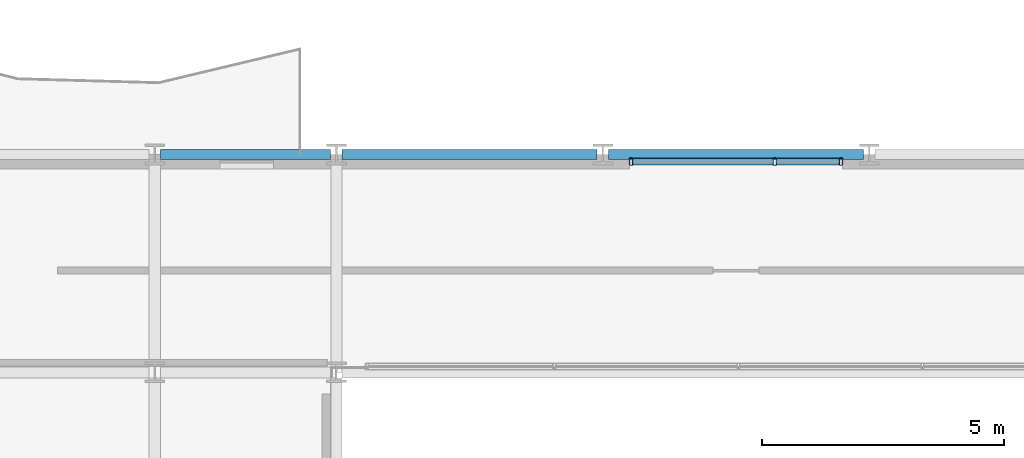
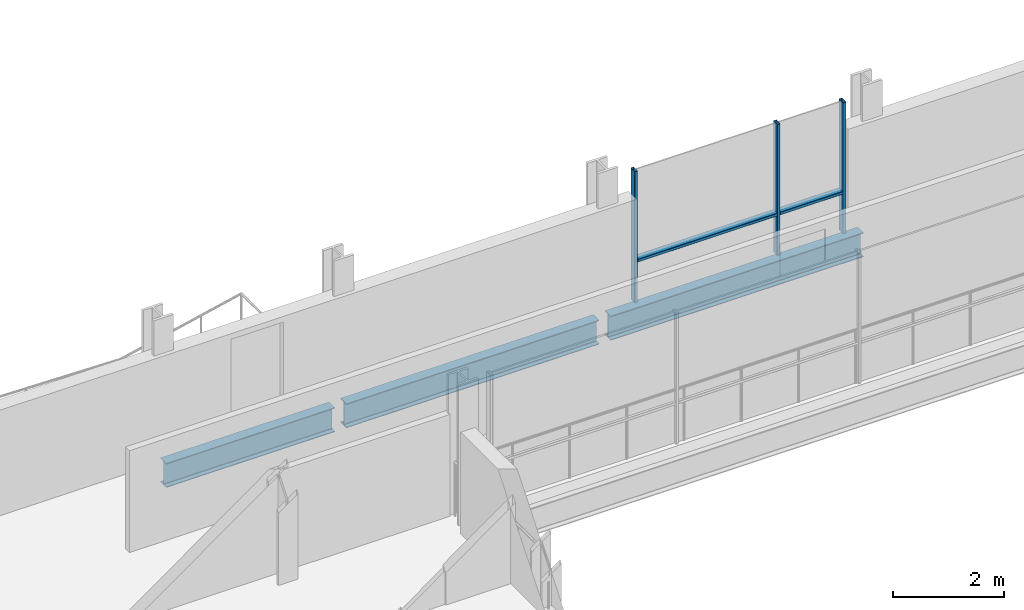
# One storey, part 22 of 40: 5 members, 3 beams, 1 element without a shape of its own.
"""IFC4 building model written with IfcOpenShell, lengths in metres."""

from ifc_helpers import new_model, si_unit, direction, frame, origin, origin_2d, place, context, subcontext, project, spatial, hollow_rectangle, i_section, extrude, material, layer, layer_set, material_profile, profile_set, type_object, element, aggregate, save


model = new_model("IFC4")

# Units and contexts
model_context = context("Model", 3, precision=1e-05, world=origin(), true_north=direction((0.0, 1.0)))
body_context = subcontext(model_context, "Body", "Model", "MODEL_VIEW")
ifc_project = project(units=[si_unit("LENGTHUNIT", "METRE"), si_unit("AREAUNIT", "SQUARE_METRE"), si_unit("VOLUMEUNIT", "CUBIC_METRE"), si_unit("PLANEANGLEUNIT", "RADIAN"), si_unit("MASSUNIT", "GRAM", prefix="KILO")], contexts=[model_context])

# Site, building, storey
site_placement = place(None, origin())
site = spatial("IfcSite", under=ifc_project, at=site_placement, CompositionType="ELEMENT")
building_placement = place(site_placement, origin())
building = spatial("IfcBuilding", under=site, at=building_placement, Name="Brevholm Reach", CompositionType="ELEMENT")
storey_placement = place(building_placement, frame((0.0, 0.0, 119.0)))
storey = spatial("IfcBuildingStorey", under=building, at=storey_placement, Name="L35", CompositionType="ELEMENT", Elevation=119.0)

# Beams
ifc_material_1 = material(Name="Structural Steel S355J2", Category="steel")
ifc_material_profile_1 = material_profile(ifc_material_1, i_section(OverallWidth=0.209228515625, OverallDepth=0.533203125, WebThickness=0.010009765625, FlangeThickness=0.015625, FilletRadius=0.0126953125, at=origin_2d()), Name="UKB 533x210x92")
ifc_profile_set_1 = profile_set([ifc_material_profile_1], Name="Structural Steel S355J2")
beam_type = type_object("IfcBeamType", Name="BM-SP533", PredefinedType="SPANDREL", material=ifc_profile_set_1)
beam_placement = place(storey_placement, frame((18.1201171875, 31.0, -0.486572265625), z_axis=(1.0, 0.0, 0.0), x_axis=(0.0, 1.0, 0.0)))
element("IfcBeam", 1, at=beam_placement, inside=storey, type_object=beam_type, Name="L35 SP-02 Framing Beam", PredefinedType="SPANDREL", context=body_context, shape_type="SweptSolid", body=[
    extrude(i_section(OverallWidth=0.209228515625, OverallDepth=0.533203125, WebThickness=0.010009765625, FlangeThickness=0.015625, FilletRadius=0.0126953125, at=origin_2d()), origin(), (0.0, 0.0, 1.0), 3.509765625),
])
for number, where, z_axis, x_axis, name in (
    (2, (21.8701171875, 31.0, -0.486572265625), (1.0, 0.0, 0.0), (0.0, 1.0, 0.0), "L35 SP-02 Framing Beam"),
    (3, (27.3701171875, 31.0, -0.486572265625), (1.0, 0.0, 0.0), (0.0, 1.0, 0.0), "L35 SP-02 Framing Beam"),
):
    element("IfcBeam", number, at=place(storey_placement, frame(where, z_axis=z_axis, x_axis=x_axis)), inside=storey, type_object=beam_type, Name=name, PredefinedType="SPANDREL", context=body_context, shape_type="SweptSolid", body=[
        extrude(i_section(OverallWidth=0.209228515625, OverallDepth=0.533203125, WebThickness=0.010009765625, FlangeThickness=0.015625, FilletRadius=0.0126953125, at=origin_2d()), origin(), (0.0, 0.0, 1.0), 5.259765625),
    ])

# Curtain wall, members
ifc_material_2 = material(Name="Dark Anodised Aluminium 6063-T6 and Solar-Control Glass", Category="aluminium")
ifc_layer = layer(ifc_material_2, 0.14990234375)
ifc_layer_set = layer_set([ifc_layer], Name="Dark Anodised Aluminium 6063-T6 and Solar-Control Glass")
curtain_wall_type = type_object("IfcCurtainWallType", Name="CW-01", PredefinedType="NOTDEFINED", material=ifc_layer_set)
curtain_wall_placement = place(storey_placement, origin())
curtain_wall = element("IfcCurtainWall", 4, at=curtain_wall_placement, inside=storey, type_object=curtain_wall_type, Name="L35 Curtain Wall CW-01", PredefinedType="NOTDEFINED")
ifc_material_3 = material(Name="Dark Anodised Aluminium 6063-T6", Category="aluminium")
ifc_material_profile_2 = material_profile(ifc_material_3, hollow_rectangle(XDim=0.06494140625, YDim=0.14990234375, WallThickness=0.0048828125, InnerFilletRadius=0.0048828125, OuterFilletRadius=0.010009765625, at=origin_2d()), Name="RHS 150x65x5")
ifc_profile_set_2 = profile_set([ifc_material_profile_2], Name="Dark Anodised Aluminium 6063-T6")
member_type_1 = type_object("IfcMemberType", Name="CWM-150", PredefinedType="MULLION", material=ifc_profile_set_2)
member_1_placement = place(storey_placement, frame((27.83251953125, 30.85009765625, 0.0), z_axis=(0.0, 0.0, 1.0), x_axis=(1.0, 0.0, 0.0)))
member_1 = element("IfcMember", 5, at=member_1_placement, type_object=member_type_1, Name="CM-150 Mullion 1", PredefinedType="MULLION", context=body_context, shape_type="SweptSolid", body=[
    extrude(hollow_rectangle(XDim=0.06494140625, YDim=0.14990234375, WallThickness=0.0048828125, InnerFilletRadius=0.0048828125, OuterFilletRadius=0.010009765625, at=origin_2d()), origin(), (0.0, 0.0, 1.0), 2.8798828125),
])
member_2_placement = place(storey_placement, frame((30.800048828125, 30.85009765625, 0.0), z_axis=(0.0, 0.0, 1.0), x_axis=(1.0, 0.0, 0.0)))
member_2 = element("IfcMember", 6, at=member_2_placement, type_object=member_type_1, Name="CM-150 Mullion 2", PredefinedType="MULLION", context=body_context, shape_type="SweptSolid", body=[
    extrude(hollow_rectangle(XDim=0.06494140625, YDim=0.14990234375, WallThickness=0.0048828125, InnerFilletRadius=0.0048828125, OuterFilletRadius=0.010009765625, at=origin_2d()), origin(), (0.0, 0.0, 1.0), 2.8798828125),
])
member_3_placement = place(storey_placement, frame((32.16748046875, 30.85009765625, 0.0), z_axis=(0.0, 0.0, 1.0), x_axis=(1.0, 0.0, 0.0)))
member_3 = element("IfcMember", 7, at=member_3_placement, type_object=member_type_1, Name="CM-150 Mullion 3", PredefinedType="MULLION", context=body_context, shape_type="SweptSolid", body=[
    extrude(hollow_rectangle(XDim=0.06494140625, YDim=0.14990234375, WallThickness=0.0048828125, InnerFilletRadius=0.0048828125, OuterFilletRadius=0.010009765625, at=origin_2d()), origin(), (0.0, 0.0, 1.0), 2.8798828125),
])
ifc_material_4 = material(Name="Dark Anodised Aluminium 6063-T6", Category="aluminium")
ifc_material_profile_3 = material_profile(ifc_material_4, hollow_rectangle(XDim=0.06494140625, YDim=0.14990234375, WallThickness=0.0048828125, InnerFilletRadius=0.0048828125, OuterFilletRadius=0.010009765625, at=origin_2d()), Name="RHS 150x65x5")
ifc_profile_set_3 = profile_set([ifc_material_profile_3], Name="Dark Anodised Aluminium 6063-T6")
member_type_2 = type_object("IfcMemberType", Name="CWT-150", PredefinedType="NOTDEFINED", material=ifc_profile_set_3)
member_4_placement = place(storey_placement, frame((27.864990234375, 30.85009765625, 0.89990234375), z_axis=(1.0, 0.0, 0.0), x_axis=(0.0, 0.0, 1.0)))
member_4 = element("IfcMember", 8, at=member_4_placement, type_object=member_type_2, Name="CT-150 Transom 1.1", ObjectType="TRANSOM", PredefinedType="USERDEFINED", context=body_context, shape_type="SweptSolid", body=[
    extrude(hollow_rectangle(XDim=0.06494140625, YDim=0.14990234375, WallThickness=0.0048828125, InnerFilletRadius=0.0048828125, OuterFilletRadius=0.010009765625, at=origin_2d()), origin(), (0.0, 0.0, 1.0), 2.902587890625),
])
member_5_placement = place(storey_placement, frame((30.83251953125, 30.85009765625, 0.89990234375), z_axis=(1.0, 0.0, 0.0), x_axis=(0.0, 0.0, 1.0)))
member_5 = element("IfcMember", 9, at=member_5_placement, type_object=member_type_2, Name="CT-150 Transom 2.1", ObjectType="TRANSOM", PredefinedType="USERDEFINED", context=body_context, shape_type="SweptSolid", body=[
    extrude(hollow_rectangle(XDim=0.06494140625, YDim=0.14990234375, WallThickness=0.0048828125, InnerFilletRadius=0.0048828125, OuterFilletRadius=0.010009765625, at=origin_2d()), origin(), (0.0, 0.0, 1.0), 1.302490234375),
])
aggregate(curtain_wall, [member_1, member_2, member_3, member_4, member_5])

save(model, "model.ifc")
